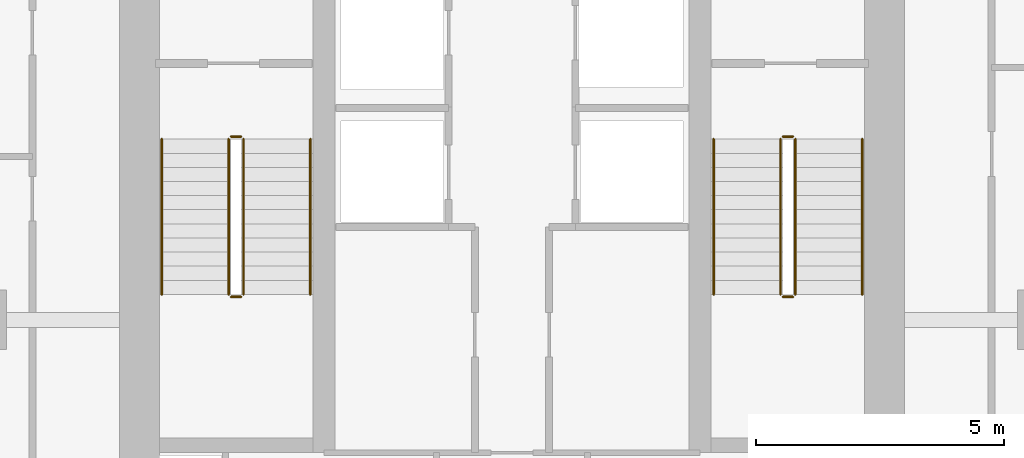
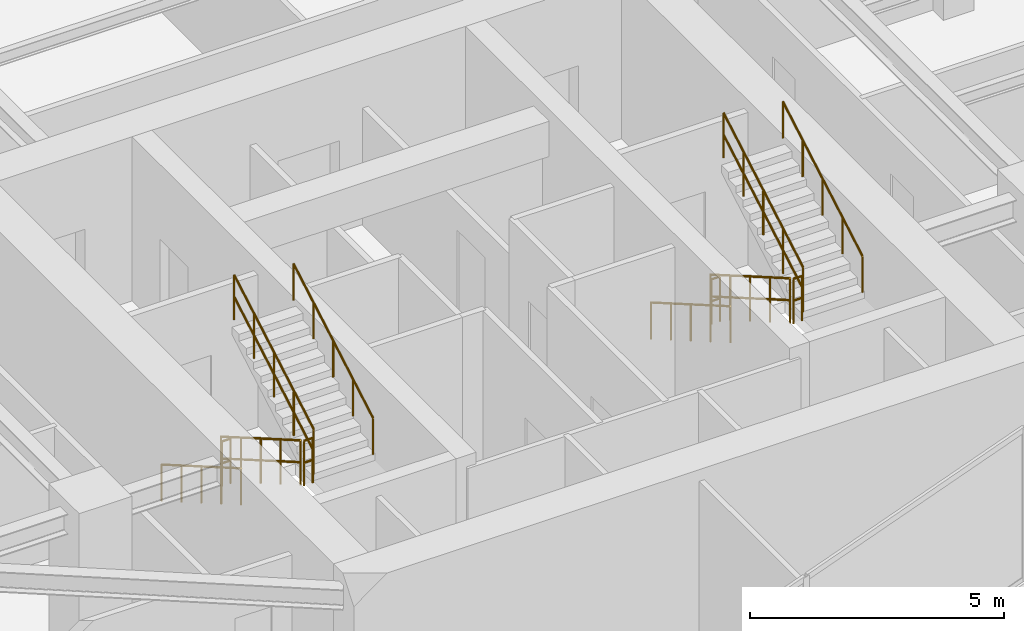
# One storey, part 20 of 21: 12 railings.
"""IFC4 building model written with IfcOpenShell, lengths in metres."""

from ifc_helpers import new_model, si_unit, direction, frame, origin, origin_2d, place, context, subcontext, project, spatial, circle, extrude, material, layer, layer_set, type_object, element, save


model = new_model("IFC4")

# Units and contexts
model_context = context("Model", 3, precision=1e-05, world=origin(), true_north=direction((0.0, 1.0)))
body_context = subcontext(model_context, "Body", "Model", "MODEL_VIEW")
ifc_project = project(units=[si_unit("LENGTHUNIT", "METRE"), si_unit("AREAUNIT", "SQUARE_METRE"), si_unit("VOLUMEUNIT", "CUBIC_METRE"), si_unit("PLANEANGLEUNIT", "RADIAN"), si_unit("MASSUNIT", "GRAM", prefix="KILO")], contexts=[model_context])

# Site, building, storey
site_placement = place(None, origin())
site = spatial("IfcSite", under=ifc_project, at=site_placement, CompositionType="ELEMENT")
building_placement = place(site_placement, origin())
building = spatial("IfcBuilding", under=site, at=building_placement, Name="Krantzveldt Concourse Tower", CompositionType="ELEMENT")
storey_placement = place(building_placement, frame((0.0, 0.0, 335.60009765625)))
storey = spatial("IfcBuildingStorey", under=building, at=storey_placement, Name="L82", CompositionType="ELEMENT", Elevation=335.60009765625)

# Railings
ifc_material = material(Name="Stainless steel 316L", Category="steel")
ifc_layer_1 = layer(ifc_material, 0.06005859375, Name="Stainless steel 316L", Category="steel")
ifc_layer_set_1 = layer_set([ifc_layer_1], Name="Stainless steel 316L (RL-GUARD-1120)")
railing_type_1 = type_object("IfcRailingType", Name="RL-GUARD-1120", PredefinedType="GUARDRAIL", material=ifc_layer_set_1)
railing_1_placement = place(storey_placement, frame((30.280029296875, 19.550048828125, 0.16455078125)))
element("IfcRailing", 1, at=railing_1_placement, inside=storey, type_object=railing_type_1, Name="L82 ST-1 stair guard 1", PredefinedType="GUARDRAIL", context=body_context, shape_type="SweptSolid", body=[
    extrude(circle(Radius=0.02392578125, at=origin_2d()), frame((0.0, 0.0, 1.076171875), z_axis=(0.0, -0.865989039225, 0.500062979975), x_axis=(1.0, 0.0, 0.0)), (0.0, 0.0, 1.0), 3.6201171875),
    extrude(circle(Radius=0.02392578125, at=origin_2d()), frame((0.0, 0.0, 0.550048828125), z_axis=(0.0, -0.865989039225, 0.500062979975), x_axis=(1.0, 0.0, 0.0)), (0.0, 0.0, 1.0), 3.6201171875),
    extrude(circle(Radius=0.02099609375, at=origin_2d()), origin(), (0.0, 0.0, 1.0), 1.052001953125),
    extrude(circle(Radius=0.02099609375, at=origin_2d()), frame((0.0, -0.78369140625, 0.45263671875)), (0.0, 0.0, 1.0), 1.052001953125),
    extrude(circle(Radius=0.02099609375, at=origin_2d()), frame((0.0, -1.5673828125, 0.9052734375)), (0.0, 0.0, 1.0), 1.052001953125),
    extrude(circle(Radius=0.02099609375, at=origin_2d()), frame((0.0, -2.351318359375, 1.357666015625)), (0.0, 0.0, 1.0), 1.052001953125),
    extrude(circle(Radius=0.02099609375, at=origin_2d()), frame((0.0, -3.135009765625, 1.810302734375)), (0.0, 0.0, 1.0), 1.052001953125),
])
railing_2_placement = place(storey_placement, frame((30.330078125, 16.364990234375, 1.974853515625)))
element("IfcRailing", 2, at=railing_2_placement, inside=storey, type_object=railing_type_1, Name="L82 ST-1 stair guard 2", PredefinedType="GUARDRAIL", context=body_context, shape_type="SweptSolid", body=[
    extrude(circle(Radius=0.02392578125, at=origin_2d()), frame((0.0, 0.0, 1.076171875), z_axis=(1.0, 0.0, 0.0), x_axis=(0.0, 1.0, 0.0)), (0.0, 0.0, 1.0), 0.199951171875),
    extrude(circle(Radius=0.02392578125, at=origin_2d()), frame((0.0, 0.0, 0.550048828125), z_axis=(1.0, 0.0, 0.0), x_axis=(0.0, 1.0, 0.0)), (0.0, 0.0, 1.0), 0.199951171875),
    extrude(circle(Radius=0.02099609375, at=origin_2d()), origin(), (0.0, 0.0, 1.0), 1.052001953125),
    extrude(circle(Radius=0.02099609375, at=origin_2d()), frame((0.199951171875, 0.0, 0.0)), (0.0, 0.0, 1.0), 1.052001953125),
])
railing_3_placement = place(storey_placement, frame((30.580078125, 16.4150390625, 2.139404296875)))
element("IfcRailing", 3, at=railing_3_placement, inside=storey, type_object=railing_type_1, Name="L82 ST-1 stair guard 3", PredefinedType="GUARDRAIL", context=body_context, shape_type="SweptSolid", body=[
    extrude(circle(Radius=0.02392578125, at=origin_2d()), frame((0.0, 0.0, 1.076171875), z_axis=(0.0, 0.865959834175, 0.500113552702), x_axis=(-1.0, 0.0, 0.0)), (0.0, 0.0, 1.0), 3.620361328125),
    extrude(circle(Radius=0.02392578125, at=origin_2d()), frame((0.0, 0.0, 0.550048828125), z_axis=(0.0, 0.865959834175, 0.500113552702), x_axis=(-1.0, 0.0, 0.0)), (0.0, 0.0, 1.0), 3.620361328125),
    extrude(circle(Radius=0.02099609375, at=origin_2d()), origin(), (0.0, 0.0, 1.0), 1.052001953125),
    extrude(circle(Radius=0.02099609375, at=origin_2d()), frame((0.0, 0.78369140625, 0.45263671875)), (0.0, 0.0, 1.0), 1.052001953125),
    extrude(circle(Radius=0.02099609375, at=origin_2d()), frame((0.0, 1.5673828125, 0.9052734375)), (0.0, 0.0, 1.0), 1.052001953125),
    extrude(circle(Radius=0.02099609375, at=origin_2d()), frame((0.0, 2.351318359375, 1.35791015625)), (0.0, 0.0, 1.0), 1.052001953125),
    extrude(circle(Radius=0.02099609375, at=origin_2d()), frame((0.0, 3.135009765625, 1.810546875)), (0.0, 0.0, 1.0), 1.052001953125),
])
railing_4_placement = place(storey_placement, frame((30.330078125, 19.60009765625, 0.0)))
element("IfcRailing", 4, at=railing_4_placement, inside=storey, type_object=railing_type_1, Name="L82 ST-1 stair guard 4", PredefinedType="GUARDRAIL", context=body_context, shape_type="SweptSolid", body=[
    extrude(circle(Radius=0.02392578125, at=origin_2d()), frame((0.0, 0.0, 1.076171875), z_axis=(1.0, 0.0, 0.0), x_axis=(0.0, 1.0, 0.0)), (0.0, 0.0, 1.0), 0.199951171875),
    extrude(circle(Radius=0.02392578125, at=origin_2d()), frame((0.0, 0.0, 0.550048828125), z_axis=(1.0, 0.0, 0.0), x_axis=(0.0, 1.0, 0.0)), (0.0, 0.0, 1.0), 0.199951171875),
    extrude(circle(Radius=0.02099609375, at=origin_2d()), origin(), (0.0, 0.0, 1.0), 1.052001953125),
    extrude(circle(Radius=0.02099609375, at=origin_2d()), frame((0.199951171875, 0.0, 0.0)), (0.0, 0.0, 1.0), 1.052001953125),
])
railing_5_placement = place(storey_placement, frame((41.419921875, 19.550048828125, 0.16455078125)))
element("IfcRailing", 5, at=railing_5_placement, inside=storey, type_object=railing_type_1, Name="L82 ST-2 stair guard 1", PredefinedType="GUARDRAIL", context=body_context, shape_type="SweptSolid", body=[
    extrude(circle(Radius=0.02392578125, at=origin_2d()), frame((0.0, 0.0, 1.076171875), z_axis=(0.0, -0.865989039225, 0.500062979975), x_axis=(1.0, 0.0, 0.0)), (0.0, 0.0, 1.0), 3.6201171875),
    extrude(circle(Radius=0.02392578125, at=origin_2d()), frame((0.0, 0.0, 0.550048828125), z_axis=(0.0, -0.865989039225, 0.500062979975), x_axis=(1.0, 0.0, 0.0)), (0.0, 0.0, 1.0), 3.6201171875),
    extrude(circle(Radius=0.02099609375, at=origin_2d()), origin(), (0.0, 0.0, 1.0), 1.052001953125),
    extrude(circle(Radius=0.02099609375, at=origin_2d()), frame((0.0, -0.78369140625, 0.45263671875)), (0.0, 0.0, 1.0), 1.052001953125),
    extrude(circle(Radius=0.02099609375, at=origin_2d()), frame((0.0, -1.5673828125, 0.9052734375)), (0.0, 0.0, 1.0), 1.052001953125),
    extrude(circle(Radius=0.02099609375, at=origin_2d()), frame((0.0, -2.351318359375, 1.357666015625)), (0.0, 0.0, 1.0), 1.052001953125),
    extrude(circle(Radius=0.02099609375, at=origin_2d()), frame((0.0, -3.135009765625, 1.810302734375)), (0.0, 0.0, 1.0), 1.052001953125),
])
railing_6_placement = place(storey_placement, frame((41.469970703125, 16.364990234375, 1.974853515625)))
element("IfcRailing", 6, at=railing_6_placement, inside=storey, type_object=railing_type_1, Name="L82 ST-2 stair guard 2", PredefinedType="GUARDRAIL", context=body_context, shape_type="SweptSolid", body=[
    extrude(circle(Radius=0.02392578125, at=origin_2d()), frame((0.0, 0.0, 1.076171875), z_axis=(1.0, 0.0, 0.0), x_axis=(0.0, 1.0, 0.0)), (0.0, 0.0, 1.0), 0.199951171875),
    extrude(circle(Radius=0.02392578125, at=origin_2d()), frame((0.0, 0.0, 0.550048828125), z_axis=(1.0, 0.0, 0.0), x_axis=(0.0, 1.0, 0.0)), (0.0, 0.0, 1.0), 0.199951171875),
    extrude(circle(Radius=0.02099609375, at=origin_2d()), origin(), (0.0, 0.0, 1.0), 1.052001953125),
    extrude(circle(Radius=0.02099609375, at=origin_2d()), frame((0.199951171875, 0.0, 0.0)), (0.0, 0.0, 1.0), 1.052001953125),
])
railing_7_placement = place(storey_placement, frame((41.719970703125, 16.4150390625, 2.139404296875)))
element("IfcRailing", 7, at=railing_7_placement, inside=storey, type_object=railing_type_1, Name="L82 ST-2 stair guard 3", PredefinedType="GUARDRAIL", context=body_context, shape_type="SweptSolid", body=[
    extrude(circle(Radius=0.02392578125, at=origin_2d()), frame((0.0, 0.0, 1.076171875), z_axis=(0.0, 0.865959834175, 0.500113552702), x_axis=(-1.0, 0.0, 0.0)), (0.0, 0.0, 1.0), 3.620361328125),
    extrude(circle(Radius=0.02392578125, at=origin_2d()), frame((0.0, 0.0, 0.550048828125), z_axis=(0.0, 0.865959834175, 0.500113552702), x_axis=(-1.0, 0.0, 0.0)), (0.0, 0.0, 1.0), 3.620361328125),
    extrude(circle(Radius=0.02099609375, at=origin_2d()), origin(), (0.0, 0.0, 1.0), 1.052001953125),
    extrude(circle(Radius=0.02099609375, at=origin_2d()), frame((0.0, 0.78369140625, 0.45263671875)), (0.0, 0.0, 1.0), 1.052001953125),
    extrude(circle(Radius=0.02099609375, at=origin_2d()), frame((0.0, 1.5673828125, 0.9052734375)), (0.0, 0.0, 1.0), 1.052001953125),
    extrude(circle(Radius=0.02099609375, at=origin_2d()), frame((0.0, 2.351318359375, 1.35791015625)), (0.0, 0.0, 1.0), 1.052001953125),
    extrude(circle(Radius=0.02099609375, at=origin_2d()), frame((0.0, 3.135009765625, 1.810546875)), (0.0, 0.0, 1.0), 1.052001953125),
])
railing_8_placement = place(storey_placement, frame((41.469970703125, 19.60009765625, 0.0)))
element("IfcRailing", 8, at=railing_8_placement, inside=storey, type_object=railing_type_1, Name="L82 ST-2 stair guard 4", PredefinedType="GUARDRAIL", context=body_context, shape_type="SweptSolid", body=[
    extrude(circle(Radius=0.02392578125, at=origin_2d()), frame((0.0, 0.0, 1.076171875), z_axis=(1.0, 0.0, 0.0), x_axis=(0.0, 1.0, 0.0)), (0.0, 0.0, 1.0), 0.199951171875),
    extrude(circle(Radius=0.02392578125, at=origin_2d()), frame((0.0, 0.0, 0.550048828125), z_axis=(1.0, 0.0, 0.0), x_axis=(0.0, 1.0, 0.0)), (0.0, 0.0, 1.0), 0.199951171875),
    extrude(circle(Radius=0.02099609375, at=origin_2d()), origin(), (0.0, 0.0, 1.0), 1.052001953125),
    extrude(circle(Radius=0.02099609375, at=origin_2d()), frame((0.199951171875, 0.0, 0.0)), (0.0, 0.0, 1.0), 1.052001953125),
])
ifc_layer_2 = layer(ifc_material, 0.050048828125, Name="Stainless steel 316L", Category="steel")
ifc_layer_set_2 = layer_set([ifc_layer_2], Name="Stainless steel 316L (RL-HANDRAIL-920)")
railing_type_2 = type_object("IfcRailingType", Name="RL-HANDRAIL-920", PredefinedType="HANDRAIL", material=ifc_layer_set_2)
railing_9_placement = place(storey_placement, frame((28.929931640625, 19.550048828125, 0.16455078125)))
element("IfcRailing", 9, at=railing_9_placement, inside=storey, type_object=railing_type_2, Name="L82 ST-1 stair handrail 1", PredefinedType="HANDRAIL", context=body_context, shape_type="SweptSolid", body=[
    extrude(circle(Radius=0.02392578125, at=origin_2d()), frame((0.0, 0.0, 0.8759765625), z_axis=(0.0, -0.865989039225, 0.500062979975), x_axis=(1.0, 0.0, 0.0)), (0.0, 0.0, 1.0), 3.6201171875),
    extrude(circle(Radius=0.02099609375, at=origin_2d()), origin(), (0.0, 0.0, 1.0), 0.851806640625),
    extrude(circle(Radius=0.02099609375, at=origin_2d()), frame((0.0, -0.78369140625, 0.45263671875)), (0.0, 0.0, 1.0), 0.851806640625),
    extrude(circle(Radius=0.02099609375, at=origin_2d()), frame((0.0, -1.5673828125, 0.9052734375)), (0.0, 0.0, 1.0), 0.851806640625),
    extrude(circle(Radius=0.02099609375, at=origin_2d()), frame((0.0, -2.351318359375, 1.357666015625)), (0.0, 0.0, 1.0), 0.851806640625),
    extrude(circle(Radius=0.02099609375, at=origin_2d()), frame((0.0, -3.135009765625, 1.810302734375)), (0.0, 0.0, 1.0), 0.851806640625),
])
railing_10_placement = place(storey_placement, frame((31.929931640625, 16.4150390625, 2.139404296875)))
element("IfcRailing", 10, at=railing_10_placement, inside=storey, type_object=railing_type_2, Name="L82 ST-1 stair handrail 2", PredefinedType="HANDRAIL", context=body_context, shape_type="SweptSolid", body=[
    extrude(circle(Radius=0.02392578125, at=origin_2d()), frame((0.0, 0.0, 0.8759765625), z_axis=(0.0, 0.865959834175, 0.500113552702), x_axis=(-1.0, 0.0, 0.0)), (0.0, 0.0, 1.0), 3.620361328125),
    extrude(circle(Radius=0.02099609375, at=origin_2d()), origin(), (0.0, 0.0, 1.0), 0.851806640625),
    extrude(circle(Radius=0.02099609375, at=origin_2d()), frame((0.0, 0.78369140625, 0.45263671875)), (0.0, 0.0, 1.0), 0.851806640625),
    extrude(circle(Radius=0.02099609375, at=origin_2d()), frame((0.0, 1.5673828125, 0.9052734375)), (0.0, 0.0, 1.0), 0.851806640625),
    extrude(circle(Radius=0.02099609375, at=origin_2d()), frame((0.0, 2.351318359375, 1.35791015625)), (0.0, 0.0, 1.0), 0.851806640625),
    extrude(circle(Radius=0.02099609375, at=origin_2d()), frame((0.0, 3.135009765625, 1.810546875)), (0.0, 0.0, 1.0), 0.851806640625),
])
railing_11_placement = place(storey_placement, frame((40.070068359375, 19.550048828125, 0.16455078125)))
element("IfcRailing", 11, at=railing_11_placement, inside=storey, type_object=railing_type_2, Name="L82 ST-2 stair handrail 1", PredefinedType="HANDRAIL", context=body_context, shape_type="SweptSolid", body=[
    extrude(circle(Radius=0.02392578125, at=origin_2d()), frame((0.0, 0.0, 0.8759765625), z_axis=(0.0, -0.865989039225, 0.500062979975), x_axis=(1.0, 0.0, 0.0)), (0.0, 0.0, 1.0), 3.6201171875),
    extrude(circle(Radius=0.02099609375, at=origin_2d()), origin(), (0.0, 0.0, 1.0), 0.851806640625),
    extrude(circle(Radius=0.02099609375, at=origin_2d()), frame((0.0, -0.78369140625, 0.45263671875)), (0.0, 0.0, 1.0), 0.851806640625),
    extrude(circle(Radius=0.02099609375, at=origin_2d()), frame((0.0, -1.5673828125, 0.9052734375)), (0.0, 0.0, 1.0), 0.851806640625),
    extrude(circle(Radius=0.02099609375, at=origin_2d()), frame((0.0, -2.351318359375, 1.357666015625)), (0.0, 0.0, 1.0), 0.851806640625),
    extrude(circle(Radius=0.02099609375, at=origin_2d()), frame((0.0, -3.135009765625, 1.810302734375)), (0.0, 0.0, 1.0), 0.851806640625),
])
railing_12_placement = place(storey_placement, frame((43.070068359375, 16.4150390625, 2.139404296875)))
element("IfcRailing", 12, at=railing_12_placement, inside=storey, type_object=railing_type_2, Name="L82 ST-2 stair handrail 2", PredefinedType="HANDRAIL", context=body_context, shape_type="SweptSolid", body=[
    extrude(circle(Radius=0.02392578125, at=origin_2d()), frame((0.0, 0.0, 0.8759765625), z_axis=(0.0, 0.865959834175, 0.500113552702), x_axis=(-1.0, 0.0, 0.0)), (0.0, 0.0, 1.0), 3.620361328125),
    extrude(circle(Radius=0.02099609375, at=origin_2d()), origin(), (0.0, 0.0, 1.0), 0.851806640625),
    extrude(circle(Radius=0.02099609375, at=origin_2d()), frame((0.0, 0.78369140625, 0.45263671875)), (0.0, 0.0, 1.0), 0.851806640625),
    extrude(circle(Radius=0.02099609375, at=origin_2d()), frame((0.0, 1.5673828125, 0.9052734375)), (0.0, 0.0, 1.0), 0.851806640625),
    extrude(circle(Radius=0.02099609375, at=origin_2d()), frame((0.0, 2.351318359375, 1.35791015625)), (0.0, 0.0, 1.0), 0.851806640625),
    extrude(circle(Radius=0.02099609375, at=origin_2d()), frame((0.0, 3.135009765625, 1.810546875)), (0.0, 0.0, 1.0), 0.851806640625),
])

save(model, "model.ifc")
